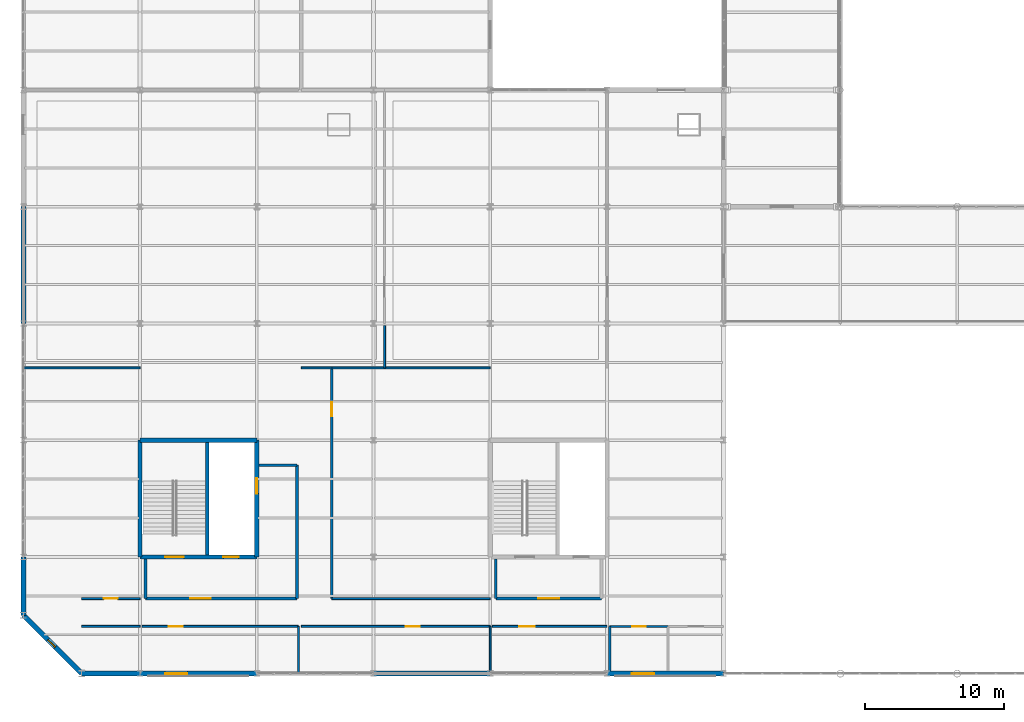
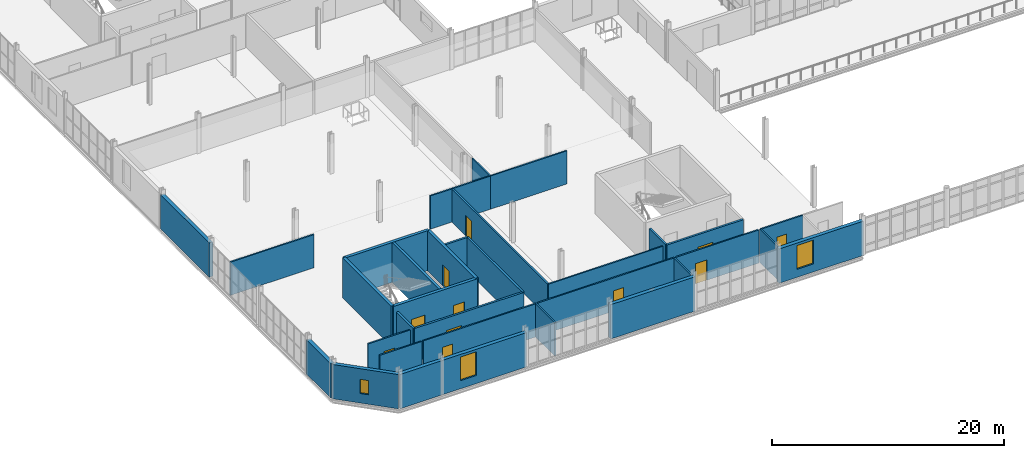
# One storey, part 131 of 163: 34 walls, 11 doors, 3 windows, 14 openings.
"""IFC4 building model written with IfcOpenShell, lengths in metres."""

from ifc_helpers import new_model, si_unit, direction, frame, frame_2d, origin, place, context, subcontext, project, spatial, rectangle, extrude, material, layer, layer_set, type_object, element, fill, save


model = new_model("IFC4")

# Units and contexts
model_context = context("Model", 3, precision=1e-05, world=origin(), true_north=direction((0.0, 1.0)))
body_context = subcontext(model_context, "Body", "Model", "MODEL_VIEW")
ifc_project = project(units=[si_unit("LENGTHUNIT", "METRE"), si_unit("AREAUNIT", "SQUARE_METRE"), si_unit("VOLUMEUNIT", "CUBIC_METRE"), si_unit("PLANEANGLEUNIT", "RADIAN"), si_unit("MASSUNIT", "GRAM", prefix="KILO")], contexts=[model_context])

# Site, building, storey
site_placement = place(None, origin())
site = spatial("IfcSite", under=ifc_project, at=site_placement, CompositionType="ELEMENT")
building_placement = place(site_placement, origin())
building = spatial("IfcBuilding", under=site, at=building_placement, Name="Qalvenar Corner Mobility Hub", CompositionType="ELEMENT")
storey_placement = place(building_placement, frame((0.0, 0.0, 4.800048828125)))
storey = spatial("IfcBuildingStorey", under=building, at=storey_placement, Name="L01", CompositionType="ELEMENT", Elevation=4.800048828125)

# Wall
ifc_material_1 = material(Name="Concrete C40/50", Category="concrete")
ifc_layer_1 = layer(ifc_material_1, 0.25)
ifc_layer_set_1 = layer_set([ifc_layer_1], Name="Concrete C40/50")
wall_type_1 = type_object("IfcWallType", Name="WL-CORE250", PredefinedType="SHEAR", material=ifc_layer_set_1)
wall_1_placement = place(storey_placement, frame((13.25, 8.550048828125, 0.0), z_axis=(0.0, 0.0, 1.0), x_axis=(0.0, 1.0, 0.0)))
element("IfcWall", 1, at=wall_1_placement, inside=storey, type_object=wall_type_1, Name="Core Divider Wall C1-L01", PredefinedType="SHEAR", context=body_context, shape_type="SweptSolid", body=[
    extrude(rectangle(XDim=8.099853515625, YDim=0.25, at=frame_2d((4.0498046875, 0.0))), origin(), (0.0, 0.0, 1.0), 4.199951171875),
])

# Wall, openings, doors
ifc_layer_2 = layer(ifc_material_1, 0.300048828125)
ifc_layer_set_2 = layer_set([ifc_layer_2], Name="Concrete C40/50")
wall_type_2 = type_object("IfcWallType", Name="WL-CORE300", PredefinedType="SHEAR", material=ifc_layer_set_2)
wall_2_placement = place(storey_placement, frame((8.39990234375, 8.39990234375, 0.0), z_axis=(0.0, 0.0, 1.0), x_axis=(1.0, 0.0, 0.0)))
wall_2 = element("IfcWall", 2, at=wall_2_placement, inside=storey, type_object=wall_type_2, Name="Core Shear Wall C1-L01-S", PredefinedType="SHEAR", context=body_context, shape_type="SweptSolid", body=[
    extrude(rectangle(XDim=8.400146484375, YDim=0.300048828125, at=frame_2d((4.2001953125, 0.0))), origin(), (0.0, 0.0, 1.0), 4.199951171875),
])
opening_1_placement = place(wall_2_placement, frame((1.800048828125, 0.0, 0.0)))
opening_1 = element("IfcOpeningElement", 3, at=opening_1_placement, cuts=wall_2, Name="Opening DR-116", PredefinedType="OPENING", context=body_context, shape_type="SweptSolid", body=[
    extrude(rectangle(XDim=1.35009765625, YDim=2.199951171875, at=frame_2d((0.675048828125, 1.10009765625))), frame((0.0, 0.16015625, 0.0), z_axis=(0.0, -1.0, 0.0), x_axis=(1.0, 0.0, 0.0)), (0.0, 0.0, 1.0), 0.320068359375),
])
opening_2_placement = place(wall_2_placement, frame((6.0, 0.0, 0.0)))
opening_2 = element("IfcOpeningElement", 4, at=opening_2_placement, cuts=wall_2, Name="Opening DR-117", PredefinedType="OPENING", context=body_context, shape_type="SweptSolid", body=[
    extrude(rectangle(XDim=1.10009765625, YDim=2.199951171875, at=frame_2d((0.550048828125, 1.10009765625))), frame((0.0, 0.16015625, 0.0), z_axis=(0.0, -1.0, 0.0), x_axis=(1.0, 0.0, 0.0)), (0.0, 0.0, 1.0), 0.320068359375),
])
ifc_material_2 = material(Name="Stainless Steel Lift Landing Door", Category="steel")
door_type_1 = type_object("IfcDoorType", Name="DR-LIFT-110", OperationType="SLIDING_TO_LEFT", PredefinedType="DOOR", material=ifc_material_2)
door_1_placement = place(opening_2_placement, origin())
door_1 = element("IfcDoor", 5, at=door_1_placement, inside=storey, type_object=door_type_1, Name="DR-117 Lift Landing Door LF1-L01", OperationType="SLIDING_TO_LEFT", OverallHeight=2.199951171875, OverallWidth=1.10009765625, PredefinedType="DOOR", context=body_context, shape_type="SweptSolid", body=[
    extrude(rectangle(XDim=1.10009765625, YDim=2.199951171875, at=frame_2d((0.550048828125, 1.10009765625))), frame((0.0, 0.02490234375, 0.0), z_axis=(0.0, -1.0, 0.0), x_axis=(1.0, 0.0, 0.0)), (0.0, 0.0, 1.0), 0.050048828125),
])
fill(opening_2, door_1)
ifc_material_3 = material(Name="Fire-Rated Steel Stair Door FD90", Category="steel")
door_type_2 = type_object("IfcDoorType", Name="DR-STAIR-135", OperationType="NOTDEFINED", PredefinedType="DOOR", material=ifc_material_3)
door_2_placement = place(opening_1_placement, origin())
door_2 = element("IfcDoor", 6, at=door_2_placement, inside=storey, type_object=door_type_2, Name="DR-116 Stair Fire Door ST1-L01", OperationType="SINGLE_SWING_RIGHT", OverallHeight=2.199951171875, OverallWidth=1.35009765625, PredefinedType="DOOR", context=body_context, shape_type="SweptSolid", body=[
    extrude(rectangle(XDim=1.35009765625, YDim=2.199951171875, at=frame_2d((0.675048828125, 1.10009765625))), frame((0.0, 0.02490234375, 0.0), z_axis=(0.0, -1.0, 0.0), x_axis=(1.0, 0.0, 0.0)), (0.0, 0.0, 1.0), 0.050048828125),
])
fill(opening_1, door_2)

# Wall, opening, door
wall_3_placement = place(storey_placement, frame((16.800048828125, 8.39990234375, 0.0), z_axis=(0.0, 0.0, 1.0), x_axis=(0.0, 1.0, 0.0)))
wall_3 = element("IfcWall", 7, at=wall_3_placement, inside=storey, type_object=wall_type_2, Name="Core Shear Wall C1-L01-E", PredefinedType="SHEAR", context=body_context, shape_type="SweptSolid", body=[
    extrude(rectangle(XDim=8.400146484375, YDim=0.300048828125, at=frame_2d((4.2001953125, 0.0))), origin(), (0.0, 0.0, 1.0), 4.199951171875),
])
opening_3_placement = place(wall_3_placement, frame((4.550048828125, 0.0, 0.0)))
opening_3 = element("IfcOpeningElement", 8, at=opening_3_placement, cuts=wall_3, Name="Opening DR-118", PredefinedType="OPENING", context=body_context, shape_type="SweptSolid", body=[
    extrude(rectangle(XDim=1.10009765625, YDim=2.199951171875, at=frame_2d((0.550048828125, 1.10009765625))), frame((0.0, 0.16015625, 0.0), z_axis=(0.0, -1.0, 0.0), x_axis=(1.0, 0.0, 0.0)), (0.0, 0.0, 1.0), 0.320068359375),
])
door_3_placement = place(opening_3_placement, origin())
door_3 = element("IfcDoor", 9, at=door_3_placement, inside=storey, type_object=door_type_1, Name="DR-118 Lift Landing Door LP1-L01", OperationType="SLIDING_TO_RIGHT", OverallHeight=2.199951171875, OverallWidth=1.10009765625, PredefinedType="DOOR", context=body_context, shape_type="SweptSolid", body=[
    extrude(rectangle(XDim=1.10009765625, YDim=2.199951171875, at=frame_2d((0.550048828125, 1.10009765625))), frame((0.0, 0.02490234375, 0.0), z_axis=(0.0, -1.0, 0.0), x_axis=(1.0, 0.0, 0.0)), (0.0, 0.0, 1.0), 0.050048828125),
])
fill(opening_3, door_3)

# Walls
for number, where, z_axis, x_axis, name in (
    (10, (16.800048828125, 16.800048828125, 0.0), (0.0, 0.0, 1.0), (-1.0, 0.0, 0.0), "Core Shear Wall C1-L01-N"),
    (11, (8.39990234375, 16.800048828125, 0.0), (0.0, 0.0, 1.0), (0.0, -1.0, 0.0), "Core Shear Wall C1-L01-W"),
):
    element("IfcWall", number, at=place(storey_placement, frame(where, z_axis=z_axis, x_axis=x_axis)), inside=storey, type_object=wall_type_2, Name=name, PredefinedType="SHEAR", context=body_context, shape_type="SweptSolid", body=[
        extrude(rectangle(XDim=8.400146484375, YDim=0.300048828125, at=frame_2d((4.2001953125, 0.0))), origin(), (0.0, 0.0, 1.0), 4.199951171875),
    ])
ifc_material_4 = material(Name="Red Sandstone Ashlar Masonry", Category="masonry")
ifc_layer_3 = layer(ifc_material_4, 0.360107421875)
ifc_layer_set_3 = layer_set([ifc_layer_3], Name="Red Sandstone Ashlar Masonry")
wall_type_3 = type_object("IfcWallType", Name="WL-EXT-SAND360", PredefinedType="STANDARD", material=ifc_layer_set_3)
wall_4_placement = place(storey_placement, frame((4.199951171875, 0.0, 0.0), z_axis=(0.0, 0.0, 1.0), x_axis=(1.0, 0.0, 0.0)))
element("IfcWall", 12, at=wall_4_placement, inside=storey, type_object=wall_type_3, Name="Exterior Facade Wall EW-V3-L01-008", PredefinedType="STANDARD", context=body_context, shape_type="SweptSolid", body=[
    extrude(rectangle(XDim=4.199951171875, YDim=0.360107421875, at=frame_2d((2.10009765625, 0.0))), origin(), (0.0, 0.0, 1.0), 3.619873046875),
])

# Wall, opening, window
wall_5_placement = place(storey_placement, frame((8.39990234375, 0.0, 0.0), z_axis=(0.0, 0.0, 1.0), x_axis=(1.0, 0.0, 0.0)))
wall_5 = element("IfcWall", 13, at=wall_5_placement, inside=storey, type_object=wall_type_3, Name="Exterior Facade Wall EW-V3-L01-009", PredefinedType="STANDARD", context=body_context, shape_type="SweptSolid", body=[
    extrude(rectangle(XDim=8.400146484375, YDim=0.360107421875, at=frame_2d((4.2001953125, 0.0))), origin(), (0.0, 0.0, 1.0), 3.619873046875),
])
opening_4_placement = place(wall_5_placement, frame((1.800048828125, 0.0, 0.85009765625)))
opening_4 = element("IfcOpeningElement", 14, at=opening_4_placement, cuts=wall_5, Name="Opening W-03", PredefinedType="OPENING", context=body_context, shape_type="SweptSolid", body=[
    extrude(rectangle(XDim=1.60009765625, YDim=2.5, at=frame_2d((0.800048828125, 1.25))), frame((0.0, 0.18994140625, 0.0), z_axis=(0.0, -1.0, 0.0), x_axis=(1.0, 0.0, 0.0)), (0.0, 0.0, 1.0), 0.380126953125),
])
ifc_material_5 = material(Name="Solar-Control Double-Glazed Bronze Window", Category="glass")
window_type_1 = type_object("IfcWindowType", Name="WN-CIV-160X250", PartitioningType="DOUBLE_PANEL_VERTICAL", PredefinedType="WINDOW", material=ifc_material_5)
window_1_placement = place(opening_4_placement, origin())
window_1 = element("IfcWindow", 15, at=window_1_placement, inside=storey, type_object=window_type_1, Name="Facade Window EW-V3-L01-009-W1", OverallHeight=2.5, OverallWidth=1.60009765625, PartitioningType="SINGLE_PANEL", PredefinedType="WINDOW", context=body_context, shape_type="SweptSolid", body=[
    extrude(rectangle(XDim=1.60009765625, YDim=2.5, at=frame_2d((0.800048828125, 1.25))), frame((0.0, 0.030029296875, 0.0), z_axis=(0.0, -1.0, 0.0), x_axis=(1.0, 0.0, 0.0)), (0.0, 0.0, 1.0), 0.06005859375),
])
fill(opening_4, window_1)

# Wall
wall_6_placement = place(storey_placement, frame((25.199951171875, 0.0, 0.0), z_axis=(0.0, 0.0, 1.0), x_axis=(1.0, 0.0, 0.0)))
element("IfcWall", 16, at=wall_6_placement, inside=storey, type_object=wall_type_3, Name="Exterior Facade Wall EW-V3-L01-010", PredefinedType="STANDARD", context=body_context, shape_type="SweptSolid", body=[
    extrude(rectangle(XDim=8.400146484375, YDim=0.360107421875, at=frame_2d((4.2001953125, 0.0))), origin(), (0.0, 0.0, 1.0), 3.619873046875),
])

# Wall, opening, window
wall_7_placement = place(storey_placement, frame((42.0, 0.0, 0.0), z_axis=(0.0, 0.0, 1.0), x_axis=(1.0, 0.0, 0.0)))
wall_7 = element("IfcWall", 17, at=wall_7_placement, inside=storey, type_object=wall_type_3, Name="Exterior Facade Wall EW-V3-L01-011", PredefinedType="STANDARD", context=body_context, shape_type="SweptSolid", body=[
    extrude(rectangle(XDim=8.39990234375, YDim=0.360107421875, at=frame_2d((4.199951171875, 0.0))), origin(), (0.0, 0.0, 1.0), 3.619873046875),
])
opening_5_placement = place(wall_7_placement, frame((1.800048828125, 0.0, 0.85009765625)))
opening_5 = element("IfcOpeningElement", 18, at=opening_5_placement, cuts=wall_7, Name="Opening W-03", PredefinedType="OPENING", context=body_context, shape_type="SweptSolid", body=[
    extrude(rectangle(XDim=1.60009765625, YDim=2.5, at=frame_2d((0.800048828125, 1.25))), frame((0.0, 0.18994140625, 0.0), z_axis=(0.0, -1.0, 0.0), x_axis=(1.0, 0.0, 0.0)), (0.0, 0.0, 1.0), 0.380126953125),
])
window_2_placement = place(opening_5_placement, origin())
window_2 = element("IfcWindow", 19, at=window_2_placement, inside=storey, type_object=window_type_1, Name="Facade Window EW-V3-L01-011-W1", OverallHeight=2.5, OverallWidth=1.60009765625, PartitioningType="SINGLE_PANEL", PredefinedType="WINDOW", context=body_context, shape_type="SweptSolid", body=[
    extrude(rectangle(XDim=1.60009765625, YDim=2.5, at=frame_2d((0.800048828125, 1.25))), frame((0.0, 0.030029296875, 0.0), z_axis=(0.0, -1.0, 0.0), x_axis=(1.0, 0.0, 0.0)), (0.0, 0.0, 1.0), 0.06005859375),
])
fill(opening_5, window_2)

# Walls
wall_8_placement = place(storey_placement, frame((0.0, 8.39990234375, 0.0), z_axis=(0.0, 0.0, 1.0), x_axis=(0.0, -1.0, 0.0)))
element("IfcWall", 20, at=wall_8_placement, inside=storey, type_object=wall_type_3, Name="Exterior Facade Wall EW-V3-L01-012", PredefinedType="STANDARD", context=body_context, shape_type="SweptSolid", body=[
    extrude(rectangle(XDim=4.199951171875, YDim=0.360107421875, at=frame_2d((2.10009765625, 0.0))), origin(), (0.0, 0.0, 1.0), 3.619873046875),
])
wall_9_placement = place(storey_placement, frame((0.0, 33.60009765625, 0.0), z_axis=(0.0, 0.0, 1.0), x_axis=(0.0, -1.0, 0.0)))
element("IfcWall", 21, at=wall_9_placement, inside=storey, type_object=wall_type_3, Name="Exterior Facade Wall EW-V3-L01-013", PredefinedType="STANDARD", context=body_context, shape_type="SweptSolid", body=[
    extrude(rectangle(XDim=8.400146484375, YDim=0.360107421875, at=frame_2d((4.2001953125, 0.0))), origin(), (0.0, 0.0, 1.0), 3.619873046875),
])

# Wall, opening, window
wall_10_placement = place(storey_placement, frame((0.0, 4.199951171875, 0.0), z_axis=(0.0, 0.0, 1.0), x_axis=(0.707106781187, -0.707106781187, 0.0)))
wall_10 = element("IfcWall", 22, at=wall_10_placement, inside=storey, type_object=wall_type_3, Name="Exterior Facade Wall EW-V3-SPL-L01", PredefinedType="STANDARD", context=body_context, shape_type="SweptSolid", body=[
    extrude(rectangle(XDim=5.939697265625, YDim=0.360107421875, at=frame_2d((2.9697265625, 0.0))), origin(), (0.0, 0.0, 1.0), 3.619873046875),
])
opening_6_placement = place(wall_10_placement, frame((2.5, 0.0, 1.0)))
opening_6 = element("IfcOpeningElement", 23, at=opening_6_placement, cuts=wall_10, Name="Opening W-24", PredefinedType="OPENING", context=body_context, shape_type="SweptSolid", body=[
    extrude(rectangle(XDim=0.75, YDim=1.5, at=frame_2d((0.375, 0.75))), frame((0.0, 0.18994140625, 0.0), z_axis=(0.0, -1.0, 0.0), x_axis=(1.0, 0.0, 0.0)), (0.0, 0.0, 1.0), 0.380126953125),
])
window_type_2 = type_object("IfcWindowType", Name="WN-STR-075X150", PartitioningType="SINGLE_PANEL", PredefinedType="WINDOW", material=ifc_material_5)
window_3_placement = place(opening_6_placement, origin())
window_3 = element("IfcWindow", 24, at=window_3_placement, inside=storey, type_object=window_type_2, Name="Facade Window EW-V3-SPL-L01-W1", OverallHeight=1.5, OverallWidth=0.75, PartitioningType="SINGLE_PANEL", PredefinedType="WINDOW", context=body_context, shape_type="SweptSolid", body=[
    extrude(rectangle(XDim=0.75, YDim=1.5, at=frame_2d((0.375, 0.75))), frame((0.0, 0.030029296875, 0.0), z_axis=(0.0, -1.0, 0.0), x_axis=(1.0, 0.0, 0.0)), (0.0, 0.0, 1.0), 0.06005859375),
])
fill(opening_6, window_3)

# Wall
ifc_material_6 = material(Name="Acoustic Gypsum Stud Partition", Category="masonry")
ifc_layer_4 = layer(ifc_material_6, 0.139892578125)
ifc_layer_set_4 = layer_set([ifc_layer_4], Name="Acoustic Gypsum Stud Partition")
wall_type_4 = type_object("IfcWallType", Name="WL-INT140", PredefinedType="PARTITIONING", material=ifc_layer_set_4)
wall_11_placement = place(storey_placement, frame((4.199951171875, 3.39990234375, 0.0), z_axis=(0.0, 0.0, 1.0), x_axis=(1.0, 0.0, 0.0)))
element("IfcWall", 25, at=wall_11_placement, inside=storey, type_object=wall_type_4, Name="Interior Partition PRT-L01-001", PredefinedType="PARTITIONING", context=body_context, shape_type="SweptSolid", body=[
    extrude(rectangle(XDim=4.199951171875, YDim=0.139892578125, at=frame_2d((2.10009765625, 0.0))), origin(), (0.0, 0.0, 1.0), 3.5),
])

# Wall, opening, door
wall_12_placement = place(storey_placement, frame((8.550048828125, 3.39990234375, 0.0), z_axis=(0.0, 0.0, 1.0), x_axis=(1.0, 0.0, 0.0)))
wall_12 = element("IfcWall", 26, at=wall_12_placement, inside=storey, type_object=wall_type_4, Name="Interior Partition PRT-L01-002", PredefinedType="PARTITIONING", context=body_context, shape_type="SweptSolid", body=[
    extrude(rectangle(XDim=11.25, YDim=0.139892578125, at=frame_2d((5.625, 0.0))), origin(), (0.0, 0.0, 1.0), 3.5),
])
opening_7_placement = place(wall_12_placement, frame((1.919921875, 0.0, 0.0)))
opening_7 = element("IfcOpeningElement", 27, at=opening_7_placement, cuts=wall_12, Name="Opening DR-136", PredefinedType="OPENING", context=body_context, shape_type="SweptSolid", body=[
    extrude(rectangle(XDim=1.0, YDim=2.14990234375, at=frame_2d((0.5, 1.074951171875))), frame((0.0, 0.080078125, 0.0), z_axis=(0.0, -1.0, 0.0), x_axis=(1.0, 0.0, 0.0)), (0.0, 0.0, 1.0), 0.159912109375),
])
ifc_material_7 = material(Name="Hardwood Teak Office Door FD30", Category="wood")
door_type_3 = type_object("IfcDoorType", Name="DR-INT-OFF100", OperationType="NOTDEFINED", PredefinedType="DOOR", material=ifc_material_7)
door_4_placement = place(opening_7_placement, origin())
door_4 = element("IfcDoor", 28, at=door_4_placement, inside=storey, type_object=door_type_3, Name="DR-136 Quiet Reflection and Prayer Room Door", OperationType="SINGLE_SWING_RIGHT", OverallHeight=2.14990234375, OverallWidth=1.0, PredefinedType="DOOR", context=body_context, shape_type="SweptSolid", body=[
    extrude(rectangle(XDim=1.0, YDim=2.14990234375, at=frame_2d((0.5, 1.074951171875))), frame((0.0, 0.02490234375, 0.0), z_axis=(0.0, -1.0, 0.0), x_axis=(1.0, 0.0, 0.0)), (0.0, 0.0, 1.0), 0.050048828125),
])
fill(opening_7, door_4)

wall_13_placement = place(storey_placement, frame((20.0, 3.39990234375, 0.0), z_axis=(0.0, 0.0, 1.0), x_axis=(1.0, 0.0, 0.0)))
wall_13 = element("IfcWall", 29, at=wall_13_placement, inside=storey, type_object=wall_type_4, Name="Interior Partition PRT-L01-003", PredefinedType="PARTITIONING", context=body_context, shape_type="SweptSolid", body=[
    extrude(rectangle(XDim=13.60009765625, YDim=0.139892578125, at=frame_2d((6.800048828125, 0.0))), origin(), (0.0, 0.0, 1.0), 3.5),
])
opening_8_placement = place(wall_13_placement, frame((7.52001953125, 0.0, 0.0)))
opening_8 = element("IfcOpeningElement", 30, at=opening_8_placement, cuts=wall_13, Name="Opening DR-137", PredefinedType="OPENING", context=body_context, shape_type="SweptSolid", body=[
    extrude(rectangle(XDim=1.0, YDim=2.14990234375, at=frame_2d((0.5, 1.074951171875))), frame((0.0, 0.080078125, 0.0), z_axis=(0.0, -1.0, 0.0), x_axis=(1.0, 0.0, 0.0)), (0.0, 0.0, 1.0), 0.159912109375),
])
door_5_placement = place(opening_8_placement, origin())
door_5 = element("IfcDoor", 31, at=door_5_placement, inside=storey, type_object=door_type_3, Name="DR-137 Regional Route Information Centre Door", OperationType="SINGLE_SWING_LEFT", OverallHeight=2.14990234375, OverallWidth=1.0, PredefinedType="DOOR", context=body_context, shape_type="SweptSolid", body=[
    extrude(rectangle(XDim=1.0, YDim=2.14990234375, at=frame_2d((0.5, 1.074951171875))), frame((0.0, 0.02490234375, 0.0), z_axis=(0.0, -1.0, 0.0), x_axis=(1.0, 0.0, 0.0)), (0.0, 0.0, 1.0), 0.050048828125),
])
fill(opening_8, door_5)

wall_14_placement = place(storey_placement, frame((33.75, 3.39990234375, 0.0), z_axis=(0.0, 0.0, 1.0), x_axis=(1.0, 0.0, 0.0)))
wall_14 = element("IfcWall", 32, at=wall_14_placement, inside=storey, type_object=wall_type_4, Name="Interior Partition PRT-L01-004", PredefinedType="PARTITIONING", context=body_context, shape_type="SweptSolid", body=[
    extrude(rectangle(XDim=8.25, YDim=0.139892578125, at=frame_2d((4.125, 0.0))), origin(), (0.0, 0.0, 1.0), 3.5),
])
opening_9_placement = place(wall_14_placement, frame((1.919921875, 0.0, 0.0)))
opening_9 = element("IfcOpeningElement", 33, at=opening_9_placement, cuts=wall_14, Name="Opening DR-138", PredefinedType="OPENING", context=body_context, shape_type="SweptSolid", body=[
    extrude(rectangle(XDim=1.14990234375, YDim=2.14990234375, at=frame_2d((0.574951171875, 1.074951171875))), frame((0.0, 0.080078125, 0.0), z_axis=(0.0, -1.0, 0.0), x_axis=(1.0, 0.0, 0.0)), (0.0, 0.0, 1.0), 0.159912109375),
])
ifc_material_8 = material(Name="Steel Parts Store Door FD60", Category="steel")
door_type_4 = type_object("IfcDoorType", Name="DR-INT-STR115", OperationType="NOTDEFINED", PredefinedType="DOOR", material=ifc_material_8)
door_6_placement = place(opening_9_placement, origin())
door_6 = element("IfcDoor", 34, at=door_6_placement, inside=storey, type_object=door_type_4, Name="DR-138 First Floor Cleaners Store Door", OperationType="SINGLE_SWING_LEFT", OverallHeight=2.14990234375, OverallWidth=1.14990234375, PredefinedType="DOOR", context=body_context, shape_type="SweptSolid", body=[
    extrude(rectangle(XDim=1.14990234375, YDim=2.14990234375, at=frame_2d((0.574951171875, 1.074951171875))), frame((0.0, 0.02490234375, 0.0), z_axis=(0.0, -1.0, 0.0), x_axis=(1.0, 0.0, 0.0)), (0.0, 0.0, 1.0), 0.050048828125),
])
fill(opening_9, door_6)

wall_15_placement = place(storey_placement, frame((4.199951171875, 5.39990234375, 0.0), z_axis=(0.0, 0.0, 1.0), x_axis=(1.0, 0.0, 0.0)))
wall_15 = element("IfcWall", 35, at=wall_15_placement, inside=storey, type_object=wall_type_4, Name="Interior Partition PRT-L01-007", PredefinedType="PARTITIONING", context=body_context, shape_type="SweptSolid", body=[
    extrude(rectangle(XDim=4.199951171875, YDim=0.139892578125, at=frame_2d((2.10009765625, 0.0))), origin(), (0.0, 0.0, 1.0), 3.5),
])
opening_10_placement = place(wall_15_placement, frame((1.60009765625, 0.0, 0.0)))
opening_10 = element("IfcOpeningElement", 36, at=opening_10_placement, cuts=wall_15, Name="Opening DR-141", PredefinedType="OPENING", context=body_context, shape_type="SweptSolid", body=[
    extrude(rectangle(XDim=1.0, YDim=2.14990234375, at=frame_2d((0.5, 1.074951171875))), frame((0.0, 0.080078125, 0.0), z_axis=(0.0, -1.0, 0.0), x_axis=(1.0, 0.0, 0.0)), (0.0, 0.0, 1.0), 0.159912109375),
])
door_7_placement = place(opening_10_placement, origin())
door_7 = element("IfcDoor", 37, at=door_7_placement, inside=storey, type_object=door_type_3, Name="DR-141 Family and Assisted Travel Waiting Room Door", OperationType="SINGLE_SWING_LEFT", OverallHeight=2.14990234375, OverallWidth=1.0, PredefinedType="DOOR", context=body_context, shape_type="SweptSolid", body=[
    extrude(rectangle(XDim=1.0, YDim=2.14990234375, at=frame_2d((0.5, 1.074951171875))), frame((0.0, 0.02490234375, 0.0), z_axis=(0.0, -1.0, 0.0), x_axis=(1.0, 0.0, 0.0)), (0.0, 0.0, 1.0), 0.050048828125),
])
fill(opening_10, door_7)

# Walls
wall_16_placement = place(storey_placement, frame((22.199951171875, 5.39990234375, 0.0), z_axis=(0.0, 0.0, 1.0), x_axis=(1.0, 0.0, 0.0)))
element("IfcWall", 38, at=wall_16_placement, inside=storey, type_object=wall_type_4, Name="Interior Partition PRT-L01-008", PredefinedType="PARTITIONING", context=body_context, shape_type="SweptSolid", body=[
    extrude(rectangle(XDim=11.400146484375, YDim=0.139892578125, at=frame_2d((5.7001953125, 0.0))), origin(), (0.0, 0.0, 1.0), 3.5),
])
wall_17_placement = place(storey_placement, frame((0.044921875, 22.0, 0.0), z_axis=(0.0, 0.0, 1.0), x_axis=(1.0, 0.0, 0.0)))
element("IfcWall", 39, at=wall_17_placement, inside=storey, type_object=wall_type_4, Name="Interior Partition PRT-L01-016", PredefinedType="PARTITIONING", context=body_context, shape_type="SweptSolid", body=[
    extrude(rectangle(XDim=8.35498046875, YDim=0.139892578125, at=frame_2d((4.177490234375, 0.0))), origin(), (0.0, 0.0, 1.0), 3.5),
])
wall_18_placement = place(storey_placement, frame((20.0, 22.0, 0.0), z_axis=(0.0, 0.0, 1.0), x_axis=(1.0, 0.0, 0.0)))
element("IfcWall", 40, at=wall_18_placement, inside=storey, type_object=wall_type_4, Name="Interior Partition PRT-L01-017", PredefinedType="PARTITIONING", context=body_context, shape_type="SweptSolid", body=[
    extrude(rectangle(XDim=2.199951171875, YDim=0.139892578125, at=frame_2d((1.10009765625, 0.0))), origin(), (0.0, 0.0, 1.0), 3.5),
])
wall_19_placement = place(storey_placement, frame((22.199951171875, 22.0, 0.0), z_axis=(0.0, 0.0, 1.0), x_axis=(1.0, 0.0, 0.0)))
element("IfcWall", 41, at=wall_19_placement, inside=storey, type_object=wall_type_4, Name="Interior Partition PRT-L01-018", PredefinedType="PARTITIONING", context=body_context, shape_type="SweptSolid", body=[
    extrude(rectangle(XDim=3.800048828125, YDim=0.139892578125, at=frame_2d((1.89990234375, 0.0))), origin(), (0.0, 0.0, 1.0), 3.5),
])
wall_20_placement = place(storey_placement, frame((26.0, 22.0, 0.0), z_axis=(0.0, 0.0, 1.0), x_axis=(1.0, 0.0, 0.0)))
element("IfcWall", 42, at=wall_20_placement, inside=storey, type_object=wall_type_4, Name="Interior Partition PRT-L01-019", PredefinedType="PARTITIONING", context=body_context, shape_type="SweptSolid", body=[
    extrude(rectangle(XDim=7.60009765625, YDim=0.139892578125, at=frame_2d((3.800048828125, 0.0))), origin(), (0.0, 0.0, 1.0), 3.5),
])
wall_21_placement = place(storey_placement, frame((19.800048828125, 0.044921875, 0.0), z_axis=(0.0, 0.0, 1.0), x_axis=(0.0, 1.0, 0.0)))
element("IfcWall", 43, at=wall_21_placement, inside=storey, type_object=wall_type_4, Name="Interior Partition PRT-L01-032", PredefinedType="PARTITIONING", context=body_context, shape_type="SweptSolid", body=[
    extrude(rectangle(XDim=3.35498046875, YDim=0.139892578125, at=frame_2d((1.677490234375, 0.0))), origin(), (0.0, 0.0, 1.0), 3.5),
])
wall_22_placement = place(storey_placement, frame((26.0, 22.0, 0.0), z_axis=(0.0, 0.0, 1.0), x_axis=(0.0, 1.0, 0.0)))
element("IfcWall", 44, at=wall_22_placement, inside=storey, type_object=wall_type_4, Name="Interior Partition PRT-L01-035", PredefinedType="PARTITIONING", context=body_context, shape_type="SweptSolid", body=[
    extrude(rectangle(XDim=3.050048828125, YDim=0.139892578125, at=frame_2d((1.52490234375, 0.0))), origin(), (0.0, 0.0, 1.0), 3.5),
])
wall_23_placement = place(storey_placement, frame((33.60009765625, 0.18505859375, 0.0), z_axis=(0.0, 0.0, 1.0), x_axis=(0.0, 1.0, 0.0)))
element("IfcWall", 45, at=wall_23_placement, inside=storey, type_object=wall_type_4, Name="Interior Partition PRT-L01-037", PredefinedType="PARTITIONING", context=body_context, shape_type="SweptSolid", body=[
    extrude(rectangle(XDim=3.21484375, YDim=0.139892578125, at=frame_2d((1.607421875, 0.0))), origin(), (0.0, 0.0, 1.0), 3.489990234375),
])

# Wall, opening, door
ifc_material_9 = material(Name="Plastered Clay Brick Partition", Category="masonry")
ifc_layer_5 = layer(ifc_material_9, 0.159912109375)
ifc_layer_set_5 = layer_set([ifc_layer_5], Name="Plastered Clay Brick Partition")
wall_type_5 = type_object("IfcWallType", Name="WL-INT160", PredefinedType="PARTITIONING", material=ifc_layer_set_5)
wall_24_placement = place(storey_placement, frame((22.199951171875, 5.39990234375, 0.0), z_axis=(0.0, 0.0, 1.0), x_axis=(0.0, 1.0, 0.0)))
wall_24 = element("IfcWall", 46, at=wall_24_placement, inside=storey, type_object=wall_type_5, Name="Interior Partition PRT-L01-034", PredefinedType="PARTITIONING", context=body_context, shape_type="SweptSolid", body=[
    extrude(rectangle(XDim=16.60009765625, YDim=0.159912109375, at=frame_2d((8.300048828125, 0.0))), origin(), (0.0, 0.0, 1.0), 3.5),
])
opening_11_placement = place(wall_24_placement, frame((13.1201171875, 0.0, 0.0)))
opening_11 = element("IfcOpeningElement", 47, at=opening_11_placement, cuts=wall_24, Name="Opening DR-151", PredefinedType="OPENING", context=body_context, shape_type="SweptSolid", body=[
    extrude(rectangle(XDim=1.0, YDim=2.14990234375, at=frame_2d((0.5, 1.074951171875))), frame((0.0, 0.08984375, 0.0), z_axis=(0.0, -1.0, 0.0), x_axis=(1.0, 0.0, 0.0)), (0.0, 0.0, 1.0), 0.179931640625),
])
door_8_placement = place(opening_11_placement, origin())
door_8 = element("IfcDoor", 48, at=door_8_placement, inside=storey, type_object=door_type_3, Name="DR-151 Ticketing Supervision Office Door", OperationType="SINGLE_SWING_RIGHT", OverallHeight=2.14990234375, OverallWidth=1.0, PredefinedType="DOOR", context=body_context, shape_type="SweptSolid", body=[
    extrude(rectangle(XDim=1.0, YDim=2.14990234375, at=frame_2d((0.5, 1.074951171875))), frame((0.0, 0.02490234375, 0.0), z_axis=(0.0, -1.0, 0.0), x_axis=(1.0, 0.0, 0.0)), (0.0, 0.0, 1.0), 0.050048828125),
])
fill(opening_11, door_8)

# Wall
ifc_material_10 = material(Name="Concrete Blockwork Masonry", Category="masonry")
ifc_layer_6 = layer(ifc_material_10, 0.199951171875)
ifc_layer_set_6 = layer_set([ifc_layer_6], Name="Concrete Blockwork Masonry")
wall_type_6 = type_object("IfcWallType", Name="WL-LOBBY200", PredefinedType="PARTITIONING", material=ifc_layer_set_6)
wall_25_placement = place(storey_placement, frame((8.800048828125, 5.39990234375, 0.0), z_axis=(0.0, 0.0, 1.0), x_axis=(0.0, 1.0, 0.0)))
element("IfcWall", 49, at=wall_25_placement, inside=storey, type_object=wall_type_6, Name="Interior Partition WL-LOB-C1-L01-W", PredefinedType="PARTITIONING", context=body_context, shape_type="SweptSolid", body=[
    extrude(rectangle(XDim=2.85009765625, YDim=0.199951171875, at=frame_2d((1.425048828125, 0.0))), origin(), (0.0, 0.0, 1.0), 3.52001953125),
])

# Wall, opening, door
wall_26_placement = place(storey_placement, frame((8.800048828125, 5.39990234375, 0.0), z_axis=(0.0, 0.0, 1.0), x_axis=(1.0, 0.0, 0.0)))
wall_26 = element("IfcWall", 50, at=wall_26_placement, inside=storey, type_object=wall_type_6, Name="Interior Partition WL-LOB-C1-L01-S", PredefinedType="PARTITIONING", context=body_context, shape_type="SweptSolid", body=[
    extrude(rectangle(XDim=10.89990234375, YDim=0.199951171875, at=frame_2d((5.449951171875, 0.0))), origin(), (0.0, 0.0, 1.0), 3.52001953125),
])
opening_12_placement = place(wall_26_placement, frame((3.199951171875, 0.0, 0.0)))
opening_12 = element("IfcOpeningElement", 51, at=opening_12_placement, cuts=wall_26, Name="Opening DR-119", PredefinedType="OPENING", context=body_context, shape_type="SweptSolid", body=[
    extrude(rectangle(XDim=1.5, YDim=2.199951171875, at=frame_2d((0.75, 1.10009765625))), frame((0.0, 0.10986328125, 0.0), z_axis=(0.0, -1.0, 0.0), x_axis=(1.0, 0.0, 0.0)), (0.0, 0.0, 1.0), 0.219970703125),
])
ifc_material_11 = material(Name="Firefighting Lobby Smoke-Control Door FD60", Category="steel")
door_type_5 = type_object("IfcDoorType", Name="DR-FFLOB-150", OperationType="DOUBLE_DOOR_SINGLE_SWING", PredefinedType="DOOR", material=ifc_material_11)
door_9_placement = place(opening_12_placement, origin())
door_9 = element("IfcDoor", 52, at=door_9_placement, inside=storey, type_object=door_type_5, Name="DR-119 Lift Lobby Smoke Door C1-L01", OperationType="DOUBLE_DOOR_SINGLE_SWING", OverallHeight=2.199951171875, OverallWidth=1.5, PredefinedType="DOOR", context=body_context, shape_type="SweptSolid", body=[
    extrude(rectangle(XDim=1.5, YDim=2.199951171875, at=frame_2d((0.75, 1.10009765625))), frame((0.0, 0.02490234375, 0.0), z_axis=(0.0, -1.0, 0.0), x_axis=(1.0, 0.0, 0.0)), (0.0, 0.0, 1.0), 0.050048828125),
])
fill(opening_12, door_9)

# Walls
wall_27_placement = place(storey_placement, frame((19.699951171875, 5.39990234375, 0.0), z_axis=(0.0, 0.0, 1.0), x_axis=(0.0, 1.0, 0.0)))
element("IfcWall", 53, at=wall_27_placement, inside=storey, type_object=wall_type_6, Name="Interior Partition WL-LOB-C1-L01-E", PredefinedType="PARTITIONING", context=body_context, shape_type="SweptSolid", body=[
    extrude(rectangle(XDim=9.60009765625, YDim=0.199951171875, at=frame_2d((4.800048828125, 0.0))), origin(), (0.0, 0.0, 1.0), 3.52001953125),
])
wall_28_placement = place(storey_placement, frame((16.9599609375, 15.0, 0.0), z_axis=(0.0, 0.0, 1.0), x_axis=(1.0, 0.0, 0.0)))
element("IfcWall", 54, at=wall_28_placement, inside=storey, type_object=wall_type_6, Name="Interior Partition WL-LOB-C1-L01-N", PredefinedType="PARTITIONING", context=body_context, shape_type="SweptSolid", body=[
    extrude(rectangle(XDim=2.739990234375, YDim=0.199951171875, at=frame_2d((1.3701171875, 0.0))), origin(), (0.0, 0.0, 1.0), 3.52001953125),
])
wall_29_placement = place(storey_placement, frame((34.0, 5.39990234375, 0.0), z_axis=(0.0, 0.0, 1.0), x_axis=(0.0, 1.0, 0.0)))
element("IfcWall", 55, at=wall_29_placement, inside=storey, type_object=wall_type_6, Name="Interior Partition WL-LOB-C2-L01-W", PredefinedType="PARTITIONING", context=body_context, shape_type="SweptSolid", body=[
    extrude(rectangle(XDim=2.85009765625, YDim=0.199951171875, at=frame_2d((1.425048828125, 0.0))), origin(), (0.0, 0.0, 1.0), 3.489990234375),
])

# Wall, opening, door
wall_30_placement = place(storey_placement, frame((34.0, 5.39990234375, 0.0), z_axis=(0.0, 0.0, 1.0), x_axis=(1.0, 0.0, 0.0)))
wall_30 = element("IfcWall", 56, at=wall_30_placement, inside=storey, type_object=wall_type_6, Name="Interior Partition WL-LOB-C2-L01-S", PredefinedType="PARTITIONING", context=body_context, shape_type="SweptSolid", body=[
    extrude(rectangle(XDim=7.60009765625, YDim=0.199951171875, at=frame_2d((3.800048828125, 0.0))), origin(), (0.0, 0.0, 1.0), 3.52001953125),
])
opening_13_placement = place(wall_30_placement, frame((3.050048828125, 0.0, 0.0)))
opening_13 = element("IfcOpeningElement", 57, at=opening_13_placement, cuts=wall_30, Name="Opening DR-122", PredefinedType="OPENING", context=body_context, shape_type="SweptSolid", body=[
    extrude(rectangle(XDim=1.5, YDim=2.199951171875, at=frame_2d((0.75, 1.10009765625))), frame((0.0, 0.10986328125, 0.0), z_axis=(0.0, -1.0, 0.0), x_axis=(1.0, 0.0, 0.0)), (0.0, 0.0, 1.0), 0.219970703125),
])
door_10_placement = place(opening_13_placement, origin())
door_10 = element("IfcDoor", 58, at=door_10_placement, inside=storey, type_object=door_type_5, Name="DR-122 Lift Lobby Smoke Door C2-L01", OperationType="DOUBLE_DOOR_SINGLE_SWING", OverallHeight=2.199951171875, OverallWidth=1.5, PredefinedType="DOOR", context=body_context, shape_type="SweptSolid", body=[
    extrude(rectangle(XDim=1.5, YDim=2.199951171875, at=frame_2d((0.75, 1.10009765625))), frame((0.0, 0.02490234375, 0.0), z_axis=(0.0, -1.0, 0.0), x_axis=(1.0, 0.0, 0.0)), (0.0, 0.0, 1.0), 0.050048828125),
])
fill(opening_13, door_10)

ifc_material_12 = material(Name="Ceramic-Tiled Moisture-Resistant Partition", Category="masonry")
ifc_layer_7 = layer(ifc_material_12, 0.14990234375)
ifc_layer_set_7 = layer_set([ifc_layer_7], Name="Ceramic-Tiled Moisture-Resistant Partition")
wall_type_7 = type_object("IfcWallType", Name="WL-WET150", PredefinedType="PARTITIONING", material=ifc_layer_set_7)
wall_31_placement = place(storey_placement, frame((42.199951171875, 3.39990234375, 0.0), z_axis=(0.0, 0.0, 1.0), x_axis=(1.0, 0.0, 0.0)))
wall_31 = element("IfcWall", 59, at=wall_31_placement, inside=storey, type_object=wall_type_7, Name="Interior Partition PRT-L01-005", PredefinedType="PARTITIONING", context=body_context, shape_type="SweptSolid", body=[
    extrude(rectangle(XDim=4.199951171875, YDim=0.14990234375, at=frame_2d((2.10009765625, 0.0))), origin(), (0.0, 0.0, 1.0), 3.5),
])
opening_14_placement = place(wall_31_placement, frame((1.625, 0.0, 0.0)))
opening_14 = element("IfcOpeningElement", 60, at=opening_14_placement, cuts=wall_31, Name="Opening DR-139", PredefinedType="OPENING", context=body_context, shape_type="SweptSolid", body=[
    extrude(rectangle(XDim=0.949951171875, YDim=2.10009765625, at=frame_2d((0.47509765625, 1.050048828125))), frame((0.0, 0.0849609375, 0.0), z_axis=(0.0, -1.0, 0.0), x_axis=(1.0, 0.0, 0.0)), (0.0, 0.0, 1.0), 0.169921875),
])
ifc_material_13 = material(Name="Moisture-Resistant Laminate WC Door", Category="wood")
door_type_6 = type_object("IfcDoorType", Name="DR-INT-WC095", OperationType="NOTDEFINED", PredefinedType="DOOR", material=ifc_material_13)
door_11_placement = place(opening_14_placement, origin())
door_11 = element("IfcDoor", 61, at=door_11_placement, inside=storey, type_object=door_type_6, Name="DR-139 First Floor Public Toilets Door", OperationType="SINGLE_SWING_RIGHT", OverallHeight=2.10009765625, OverallWidth=0.949951171875, PredefinedType="DOOR", context=body_context, shape_type="SweptSolid", body=[
    extrude(rectangle(XDim=0.949951171875, YDim=2.10009765625, at=frame_2d((0.47509765625, 1.050048828125))), frame((0.0, 0.02490234375, 0.0), z_axis=(0.0, -1.0, 0.0), x_axis=(1.0, 0.0, 0.0)), (0.0, 0.0, 1.0), 0.050048828125),
])
fill(opening_14, door_11)

# Wall
wall_32_placement = place(storey_placement, frame((42.199951171875, 0.18505859375, 0.0), z_axis=(0.0, 0.0, 1.0), x_axis=(0.0, 1.0, 0.0)))
element("IfcWall", 62, at=wall_32_placement, inside=storey, type_object=wall_type_7, Name="Interior Partition PRT-L01-040", PredefinedType="PARTITIONING", context=body_context, shape_type="SweptSolid", body=[
    extrude(rectangle(XDim=3.21484375, YDim=0.14990234375, at=frame_2d((1.607421875, 0.0))), origin(), (0.0, 0.0, 1.0), 3.489990234375),
])

save(model, "model.ifc")
